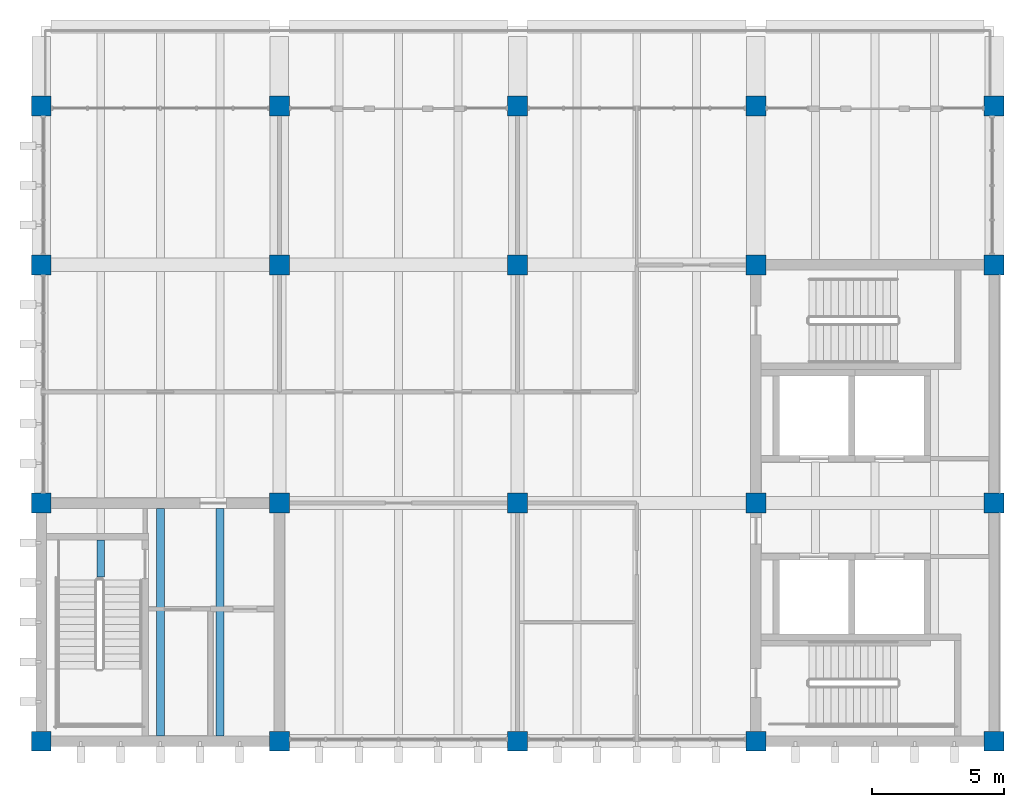
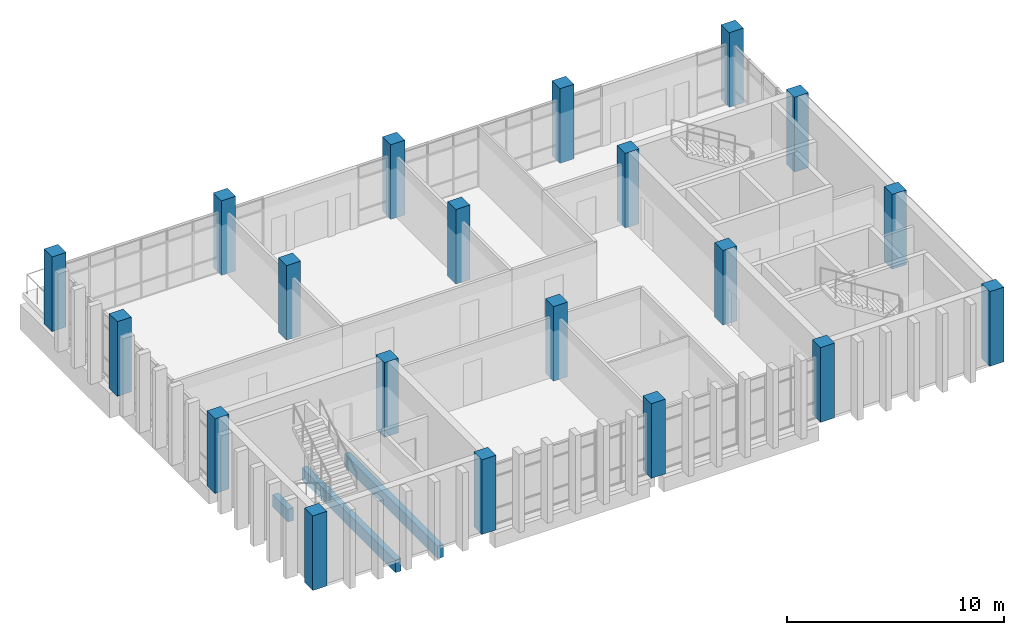
# One storey, part 1 of 15: 20 columns, 3 beams.
"""IFC4 building model written with IfcOpenShell, lengths in metres."""

from ifc_helpers import new_model, si_unit, direction, frame, origin, origin_2d, place, context, subcontext, project, spatial, rectangle, extrude, material, material_profile, profile_set, type_object, element, save


model = new_model("IFC4")

# Units and contexts
model_context = context("Model", 3, precision=1e-05, world=origin(), true_north=direction((0.0, 1.0)))
body_context = subcontext(model_context, "Body", "Model", "MODEL_VIEW")
ifc_project = project(units=[si_unit("LENGTHUNIT", "METRE"), si_unit("AREAUNIT", "SQUARE_METRE"), si_unit("VOLUMEUNIT", "CUBIC_METRE"), si_unit("PLANEANGLEUNIT", "RADIAN"), si_unit("MASSUNIT", "GRAM", prefix="KILO")], contexts=[model_context])

# Site, building, storey
site_placement = place(None, origin())
site = spatial("IfcSite", under=ifc_project, at=site_placement, CompositionType="ELEMENT")
building_placement = place(site_placement, origin())
building = spatial("IfcBuilding", under=site, at=building_placement, Name="Merrow Basin Faculty of Sciences", CompositionType="ELEMENT")
storey_placement = place(building_placement, frame((0.0, 0.0, 31.5)))
storey = spatial("IfcBuildingStorey", under=building, at=storey_placement, Name="L07", CompositionType="ELEMENT", Elevation=31.5)

# Columns
ifc_material_1 = material(Name="Concrete C40/50", Category="concrete")
ifc_material_profile_1 = material_profile(ifc_material_1, rectangle(XDim=0.75, YDim=0.75, at=origin_2d()))
ifc_profile_set_1 = profile_set([ifc_material_profile_1], Name="Concrete C40/50")
column_type = type_object("IfcColumnType", Name="Column RC750x750 C40/50", PredefinedType="COLUMN", material=ifc_profile_set_1)
for number, where, z_axis, x_axis, name in (
    (1, (18.0, 142.0, 0.0), (0.0, 0.0, 1.0), (1.0, 0.0, 0.0), "Column S13 L07"),
    (2, (18.0, 151.0, 0.0), (0.0, 0.0, 1.0), (1.0, 0.0, 0.0), "Column S14 L07"),
    (3, (18.0, 160.0, 0.0), (0.0, 0.0, 1.0), (1.0, 0.0, 0.0), "Column S15 L07"),
    (4, (18.0, 166.0, 0.0), (0.0, 0.0, 1.0), (1.0, 0.0, 0.0), "Column S17 L07"),
    (5, (27.0, 142.0, 0.0), (0.0, 0.0, 1.0), (1.0, 0.0, 0.0), "Column D13 L07"),
    (6, (27.0, 151.0, 0.0), (0.0, 0.0, 1.0), (1.0, 0.0, 0.0), "Column D14 L07"),
    (7, (27.0, 160.0, 0.0), (0.0, 0.0, 1.0), (1.0, 0.0, 0.0), "Column D15 L07"),
    (8, (27.0, 166.0, 0.0), (0.0, 0.0, 1.0), (1.0, 0.0, 0.0), "Column D17 L07"),
    (9, (36.0, 142.0, 0.0), (0.0, 0.0, 1.0), (1.0, 0.0, 0.0), "Column E13 L07"),
    (10, (36.0, 151.0, 0.0), (0.0, 0.0, 1.0), (1.0, 0.0, 0.0), "Column E14 L07"),
    (11, (36.0, 160.0, 0.0), (0.0, 0.0, 1.0), (1.0, 0.0, 0.0), "Column E15 L07"),
    (12, (36.0, 166.0, 0.0), (0.0, 0.0, 1.0), (1.0, 0.0, 0.0), "Column E17 L07"),
    (13, (45.0, 142.0, 0.0), (0.0, 0.0, 1.0), (1.0, 0.0, 0.0), "Column F13 L07"),
    (14, (45.0, 151.0, 0.0), (0.0, 0.0, 1.0), (1.0, 0.0, 0.0), "Column F14 L07"),
    (15, (45.0, 160.0, 0.0), (0.0, 0.0, 1.0), (1.0, 0.0, 0.0), "Column F15 L07"),
    (16, (45.0, 166.0, 0.0), (0.0, 0.0, 1.0), (1.0, 0.0, 0.0), "Column F17 L07"),
    (17, (54.0, 142.0, 0.0), (0.0, 0.0, 1.0), (1.0, 0.0, 0.0), "Column G13 L07"),
    (18, (54.0, 151.0, 0.0), (0.0, 0.0, 1.0), (1.0, 0.0, 0.0), "Column G14 L07"),
    (19, (54.0, 160.0, 0.0), (0.0, 0.0, 1.0), (1.0, 0.0, 0.0), "Column G15 L07"),
    (20, (54.0, 166.0, 0.0), (0.0, 0.0, 1.0), (1.0, 0.0, 0.0), "Column G17 L07"),
):
    element("IfcColumn", number, at=place(storey_placement, frame(where, z_axis=z_axis, x_axis=x_axis)), inside=storey, type_object=column_type, Name=name, PredefinedType="COLUMN", context=body_context, shape_type="SweptSolid", body=[
        extrude(rectangle(XDim=0.75, YDim=0.75, at=origin_2d()), origin(), (0.0, 0.0, 1.0), 4.199951171875),
    ])

# Beams
ifc_material_2 = material(Name="Concrete C40/50", Category="concrete")
ifc_material_profile_2 = material_profile(ifc_material_2, rectangle(XDim=0.300048828125, YDim=0.699951171875, at=origin_2d()))
ifc_profile_set_2 = profile_set([ifc_material_profile_2], Name="Concrete C40/50")
beam_type = type_object("IfcBeamType", Name="Terrace joist RC300x700 C40/50", PredefinedType="BEAM", material=ifc_profile_set_2)
beam_placement = place(storey_placement, frame((20.25, 148.199951171875, -0.64990234375), z_axis=(0.0, 1.0, 0.0), x_axis=(-1.0, 0.0, 0.0)))
element("IfcBeam", 21, at=beam_placement, inside=storey, type_object=beam_type, Name="JX1 L07 022", PredefinedType="BEAM", context=body_context, shape_type="SweptSolid", body=[
    extrude(rectangle(XDim=0.300048828125, YDim=0.699951171875, at=origin_2d()), origin(), (0.0, 0.0, 1.0), 1.400146484375),
])
for number, where, z_axis, x_axis, name in (
    (22, (22.5, 142.199951171875, -0.64990234375), (0.0, 1.0, 0.0), (-1.0, 0.0, 0.0), "JX1 L07 024"),
    (23, (24.75, 142.199951171875, -0.64990234375), (0.0, 1.0, 0.0), (-1.0, 0.0, 0.0), "JX1 L07 025"),
):
    element("IfcBeam", number, at=place(storey_placement, frame(where, z_axis=z_axis, x_axis=x_axis)), inside=storey, type_object=beam_type, Name=name, PredefinedType="BEAM", context=body_context, shape_type="SweptSolid", body=[
        extrude(rectangle(XDim=0.300048828125, YDim=0.699951171875, at=origin_2d()), origin(), (0.0, 0.0, 1.0), 8.60009765625),
    ])

save(model, "model.ifc")
